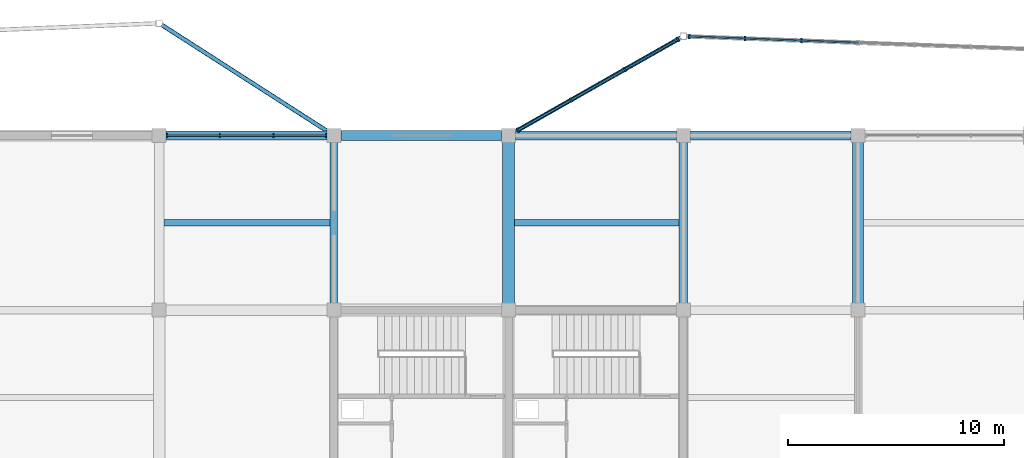
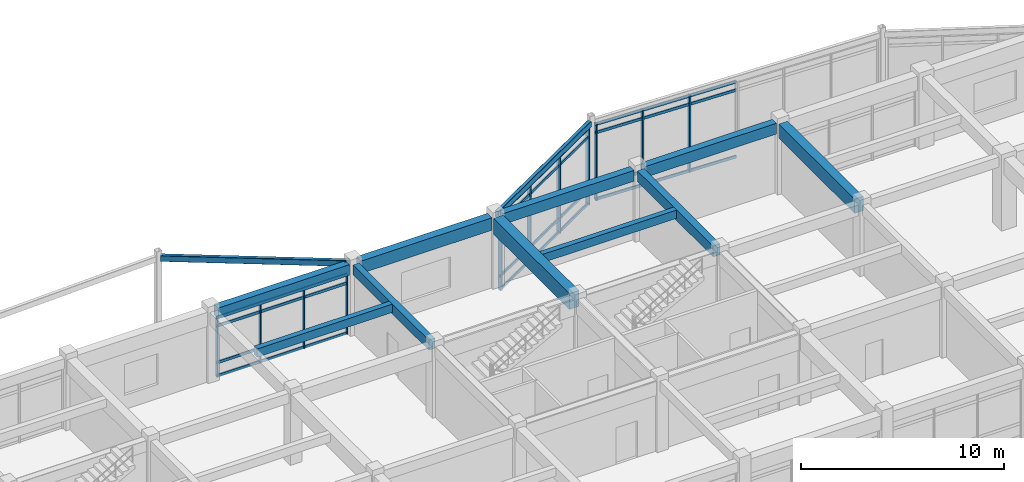
# One storey, part 46 of 93: 23 members, 12 beams, 3 elements without a shape of their own.
"""IFC4 building model written with IfcOpenShell, lengths in metres."""

from ifc_helpers import new_model, si_unit, direction, frame, origin, origin_2d, place, context, subcontext, project, spatial, rectangle, hollow_rectangle, extrude, material, layer, layer_set, material_profile, profile_set, type_object, element, aggregate, save


model = new_model("IFC4")

# Units and contexts
model_context = context("Model", 3, precision=1e-05, world=origin(), true_north=direction((0.0, 1.0)))
body_context = subcontext(model_context, "Body", "Model", "MODEL_VIEW")
ifc_project = project(units=[si_unit("LENGTHUNIT", "METRE"), si_unit("AREAUNIT", "SQUARE_METRE"), si_unit("VOLUMEUNIT", "CUBIC_METRE"), si_unit("PLANEANGLEUNIT", "RADIAN"), si_unit("MASSUNIT", "GRAM", prefix="KILO")], contexts=[model_context])

# Site, building, storey
site_placement = place(None, origin())
site = spatial("IfcSite", under=ifc_project, at=site_placement, CompositionType="ELEMENT")
building_placement = place(site_placement, origin())
building = spatial("IfcBuilding", under=site, at=building_placement, Name="Vaudrelin Polytechnic", CompositionType="ELEMENT")
storey_placement = place(building_placement, frame((0.0, 0.0, 5.10009765625)))
storey = spatial("IfcBuildingStorey", under=building, at=storey_placement, Name="L01", CompositionType="ELEMENT", Elevation=5.10009765625)

# Beams
ifc_material_1 = material(Name="Concrete 40 MPa", Category="concrete")
ifc_material_profile_1 = material_profile(ifc_material_1, rectangle(XDim=0.35009765625, YDim=0.60009765625, at=origin_2d()), Name="RC350x600")
ifc_profile_set_1 = profile_set([ifc_material_profile_1], Name="Concrete 40 MPa")
beam_type_1 = type_object("IfcBeamType", Name="BM-BM-RC3560", PredefinedType="BEAM", material=ifc_profile_set_1)
beam_1_placement = place(storey_placement, frame((105.300048828125, 113.7099609375, 3.949951171875), z_axis=(0.0, 1.0, 0.0), x_axis=(-1.0, 0.0, 0.0)))
element("IfcBeam", 1, at=beam_1_placement, inside=storey, type_object=beam_type_1, Name="L01 Y-beam 14-15", PredefinedType="BEAM", context=body_context, shape_type="SweptSolid", body=[
    extrude(rectangle(XDim=0.35009765625, YDim=0.60009765625, at=origin_2d()), origin(), (0.0, 0.0, 1.0), 7.47998046875),
])
ifc_material_profile_2 = material_profile(ifc_material_1, rectangle(XDim=0.39990234375, YDim=0.64990234375, at=origin_2d()), Name="RC400x650")
ifc_profile_set_2 = profile_set([ifc_material_profile_2], Name="Concrete 40 MPa")
beam_type_2 = type_object("IfcBeamType", Name="BM-BM-RC4065", PredefinedType="BEAM", material=ifc_profile_set_2)
beam_2_placement = place(storey_placement, frame((121.5, 113.7099609375, 3.9248046875), z_axis=(0.0, 1.0, 0.0), x_axis=(-1.0, 0.0, 0.0)))
element("IfcBeam", 2, at=beam_2_placement, inside=storey, type_object=beam_type_2, Name="L01 Y-beam 16-15", PredefinedType="BEAM", context=body_context, shape_type="SweptSolid", body=[
    extrude(rectangle(XDim=0.39990234375, YDim=0.64990234375, at=origin_2d()), origin(), (0.0, 0.0, 1.0), 7.47998046875),
])
beam_3_placement = place(storey_placement, frame((113.720947265625, 121.5, 3.9248046875), z_axis=(1.0, 0.0, 0.0), x_axis=(0.0, 1.0, 0.0)))
element("IfcBeam", 3, at=beam_3_placement, inside=storey, type_object=beam_type_2, Name="L01 X-beam 15-16", PredefinedType="BEAM", context=body_context, shape_type="SweptSolid", body=[
    extrude(rectangle(XDim=0.39990234375, YDim=0.64990234375, at=origin_2d()), origin(), (0.0, 0.0, 1.0), 7.4580078125),
])
ifc_material_profile_3 = material_profile(ifc_material_1, rectangle(XDim=0.449951171875, YDim=0.75, at=origin_2d()), Name="RC450x750")
ifc_profile_set_3 = profile_set([ifc_material_profile_3], Name="Concrete 40 MPa")
beam_type_3 = type_object("IfcBeamType", Name="BM-BM-RC4575", PredefinedType="BEAM", material=ifc_profile_set_3)
beam_4_placement = place(storey_placement, frame((105.62109375, 121.5, 3.875), z_axis=(1.0, 0.0, 0.0), x_axis=(0.0, 1.0, 0.0)))
element("IfcBeam", 4, at=beam_4_placement, inside=storey, type_object=beam_type_3, Name="L01 X-beam 14-16", PredefinedType="BEAM", context=body_context, shape_type="SweptSolid", body=[
    extrude(rectangle(XDim=0.449951171875, YDim=0.75, at=origin_2d()), origin(), (0.0, 0.0, 1.0), 7.4580078125),
])
ifc_material_profile_4 = material_profile(ifc_material_1, rectangle(XDim=0.5, YDim=0.85009765625, at=origin_2d()), Name="RC500x850")
ifc_profile_set_4 = profile_set([ifc_material_profile_4], Name="Concrete 40 MPa")
beam_type_4 = type_object("IfcBeamType", Name="BM-BM-RC5085", PredefinedType="BEAM", material=ifc_profile_set_4)
beam_5_placement = place(storey_placement, frame((129.60009765625, 113.7099609375, 3.824951171875), z_axis=(0.0, 1.0, 0.0), x_axis=(-1.0, 0.0, 0.0)))
element("IfcBeam", 5, at=beam_5_placement, inside=storey, type_object=beam_type_4, Name="L01 Y-beam 17-15", PredefinedType="BEAM", context=body_context, shape_type="SweptSolid", body=[
    extrude(rectangle(XDim=0.5, YDim=0.85009765625, at=origin_2d()), origin(), (0.0, 0.0, 1.0), 7.47998046875),
])
ifc_material_2 = material(Name="Concrete 50 MPa", Category="concrete")
ifc_material_profile_5 = material_profile(ifc_material_2, rectangle(XDim=0.550048828125, YDim=0.949951171875, at=origin_2d()), Name="RC550x950")
ifc_profile_set_5 = profile_set([ifc_material_profile_5], Name="Concrete 50 MPa")
beam_type_5 = type_object("IfcBeamType", Name="BM-BM-RC5595", PredefinedType="BEAM", material=ifc_profile_set_5)
beam_6_placement = place(storey_placement, frame((113.39990234375, 113.7099609375, 3.77490234375), z_axis=(0.0, 1.0, 0.0), x_axis=(-1.0, 0.0, 0.0)))
element("IfcBeam", 6, at=beam_6_placement, inside=storey, type_object=beam_type_5, Name="L01 Y-beam 15-15", PredefinedType="BEAM", context=body_context, shape_type="SweptSolid", body=[
    extrude(rectangle(XDim=0.550048828125, YDim=0.949951171875, at=origin_2d()), origin(), (0.0, 0.0, 1.0), 7.47998046875),
])
ifc_material_profile_6 = material_profile(ifc_material_1, rectangle(XDim=0.300048828125, YDim=0.5, at=origin_2d()), Name="RC300x500")
ifc_profile_set_6 = profile_set([ifc_material_profile_6], Name="Concrete 40 MPa")
beam_type_6 = type_object("IfcBeamType", Name="BM-JS-RC3050", PredefinedType="JOIST", material=ifc_profile_set_6)
beam_7_placement = place(storey_placement, frame((97.4208984375, 117.449951171875, 4.0), z_axis=(1.0, 0.0, 0.0), x_axis=(0.0, 1.0, 0.0)))
element("IfcBeam", 7, at=beam_7_placement, inside=storey, type_object=beam_type_6, Name="L01 floor joist 13-15", PredefinedType="JOIST", context=body_context, shape_type="SweptSolid", body=[
    extrude(rectangle(XDim=0.300048828125, YDim=0.5, at=origin_2d()), origin(), (0.0, 0.0, 1.0), 7.7080078125),
])
beam_8_placement = place(storey_placement, frame((113.6708984375, 117.449951171875, 4.0), z_axis=(1.0, 0.0, 0.0), x_axis=(0.0, 1.0, 0.0)))
element("IfcBeam", 8, at=beam_8_placement, inside=storey, type_object=beam_type_6, Name="L01 floor joist 15-15", PredefinedType="JOIST", context=body_context, shape_type="SweptSolid", body=[
    extrude(rectangle(XDim=0.300048828125, YDim=0.5, at=origin_2d()), origin(), (0.0, 0.0, 1.0), 7.633056640625),
])
ifc_material_3 = material(Name="Steel CSA G40.21 350WT", Category="steel")
ifc_material_profile_7 = material_profile(ifc_material_3, hollow_rectangle(XDim=0.202880859375, YDim=0.35595703125, WallThickness=0.0126953125, InnerFilletRadius=0.0126953125, OuterFilletRadius=0.025390625, at=origin_2d()), Name="HSS356x203x12.7")
ifc_profile_set_7 = profile_set([ifc_material_profile_7], Name="Steel CSA G40.21 350WT")
beam_type_7 = type_object("IfcBeamType", Name="BM-SP-HSS35", PredefinedType="SPANDREL", material=ifc_profile_set_7)
beam_9_placement = place(storey_placement, frame((97.31787109375, 126.62451171875, 4.1318359375), z_axis=(0.84150765207, -0.540245195729, 0.0), x_axis=(0.540245195729, 0.84150765207, 0.0)))
element("IfcBeam", 9, at=beam_9_placement, inside=storey, type_object=beam_type_7, Name="Sculptural edge beam L01 N_OR2_B3", PredefinedType="SPANDREL", context=body_context, shape_type="SweptSolid", body=[
    extrude(hollow_rectangle(XDim=0.202880859375, YDim=0.35595703125, WallThickness=0.0126953125, InnerFilletRadius=0.0126953125, OuterFilletRadius=0.025390625, at=origin_2d()), origin(), (0.0, 0.0, 1.0), 9.345458984375),
])
beam_10_placement = place(storey_placement, frame((113.521728515625, 121.569091796875, 4.1318359375), z_axis=(0.869557036598, 0.493832522322, 0.0), x_axis=(-0.493832522322, 0.869557036598, 0.0)))
element("IfcBeam", 10, at=beam_10_placement, inside=storey, type_object=beam_type_7, Name="Sculptural edge beam L01 N_OR3_B1", PredefinedType="SPANDREL", context=body_context, shape_type="SweptSolid", body=[
    extrude(hollow_rectangle(XDim=0.202880859375, YDim=0.35595703125, WallThickness=0.0126953125, InnerFilletRadius=0.0126953125, OuterFilletRadius=0.025390625, at=origin_2d()), origin(), (0.0, 0.0, 1.0), 9.03515625),
])
ifc_material_profile_8 = material_profile(ifc_material_1, rectangle(XDim=0.39990234375, YDim=0.64990234375, at=origin_2d()), Name="RC400x650")
ifc_profile_set_8 = profile_set([ifc_material_profile_8], Name="Concrete 40 MPa")
beam_type_8 = type_object("IfcBeamType", Name="BM-SP-RC4065", PredefinedType="SPANDREL", material=ifc_profile_set_8)
for number, where, z_axis, x_axis, name in (
    (11, (97.52099609375, 121.5, 3.9248046875), (1.0, 0.0, 0.0), (0.0, 1.0, 0.0), "L01 X-beam 13-16"),
    (12, (121.821044921875, 121.5, 3.9248046875), (1.0, 0.0, 0.0), (0.0, 1.0, 0.0), "L01 X-beam 16-16"),
):
    element("IfcBeam", number, at=place(storey_placement, frame(where, z_axis=z_axis, x_axis=x_axis)), inside=storey, type_object=beam_type_8, Name=name, PredefinedType="SPANDREL", context=body_context, shape_type="SweptSolid", body=[
        extrude(rectangle(XDim=0.39990234375, YDim=0.64990234375, at=origin_2d()), origin(), (0.0, 0.0, 1.0), 7.4580078125),
    ])

# Curtain wall, members
ifc_material_4 = material(Name="Thermally broken anodised aluminium AA 6063-T6 and low-e triple glazing", Category="aluminium")
ifc_layer = layer(ifc_material_4, 0.199951171875)
ifc_layer_set = layer_set([ifc_layer], Name="Thermally broken anodised aluminium AA 6063-T6 and low-e triple glazing")
curtain_wall_type = type_object("IfcCurtainWallType", Name="CW-CW-STU", PredefinedType="USERDEFINED", material=ifc_layer_set)
curtain_wall_1_placement = place(storey_placement, origin())
curtain_wall_1 = element("IfcCurtainWall", 13, at=curtain_wall_1_placement, inside=storey, type_object=curtain_wall_type, Name="Curtain wall L01 N_V5_12", ObjectType="CURTAIN WALL", PredefinedType="USERDEFINED")
ifc_material_5 = material(Name="Anodised aluminium AA 6063-T6", Category="aluminium")
ifc_material_profile_9 = material_profile(ifc_material_5, rectangle(XDim=0.06494140625, YDim=0.179931640625, at=origin_2d()), Name="CWM-65x180")
ifc_profile_set_9 = profile_set([ifc_material_profile_9], Name="Anodised aluminium AA 6063-T6")
member_type_1 = type_object("IfcMemberType", Name="MEM-CWM-180", PredefinedType="MULLION", material=ifc_profile_set_9)
member_1_placement = place(storey_placement, frame((97.56298828125, 121.5, 0.0), z_axis=(0.0, 0.0, 1.0), x_axis=(1.0, 0.0, 0.0)))
member_1 = element("IfcMember", 14, at=member_1_placement, type_object=member_type_1, Name="N_V5_12 mullion 1", PredefinedType="MULLION", context=body_context, shape_type="SweptSolid", body=[
    extrude(rectangle(XDim=0.06494140625, YDim=0.179931640625, at=origin_2d()), origin(), (0.0, 0.0, 1.0), 3.601806640625),
])
member_2_placement = place(storey_placement, frame((100.0078125, 121.5, 0.0), z_axis=(0.0, 0.0, 1.0), x_axis=(1.0, 0.0, 0.0)))
member_2 = element("IfcMember", 15, at=member_2_placement, type_object=member_type_1, Name="N_V5_12 mullion 2", PredefinedType="MULLION", context=body_context, shape_type="SweptSolid", body=[
    extrude(rectangle(XDim=0.06494140625, YDim=0.179931640625, at=origin_2d()), origin(), (0.0, 0.0, 1.0), 3.601806640625),
])
member_3_placement = place(storey_placement, frame((102.4921875, 121.5, 0.0), z_axis=(0.0, 0.0, 1.0), x_axis=(1.0, 0.0, 0.0)))
member_3 = element("IfcMember", 16, at=member_3_placement, type_object=member_type_1, Name="N_V5_12 mullion 3", PredefinedType="MULLION", context=body_context, shape_type="SweptSolid", body=[
    extrude(rectangle(XDim=0.06494140625, YDim=0.179931640625, at=origin_2d()), origin(), (0.0, 0.0, 1.0), 3.601806640625),
])
member_4_placement = place(storey_placement, frame((104.93701171875, 121.5, 0.0), z_axis=(0.0, 0.0, 1.0), x_axis=(1.0, 0.0, 0.0)))
member_4 = element("IfcMember", 17, at=member_4_placement, type_object=member_type_1, Name="N_V5_12 mullion 4", PredefinedType="MULLION", context=body_context, shape_type="SweptSolid", body=[
    extrude(rectangle(XDim=0.06494140625, YDim=0.179931640625, at=origin_2d()), origin(), (0.0, 0.0, 1.0), 3.601806640625),
])

curtain_wall_2_placement = place(storey_placement, origin())
curtain_wall_2 = element("IfcCurtainWall", 18, at=curtain_wall_2_placement, inside=storey, type_object=curtain_wall_type, Name="Curtain wall L01 N_OR3_1_0", ObjectType="CURTAIN WALL", PredefinedType="USERDEFINED")
ifc_material_profile_10 = material_profile(ifc_material_5, rectangle(XDim=0.074951171875, YDim=0.219970703125, at=origin_2d()), Name="CWM-75x220")
ifc_profile_set_10 = profile_set([ifc_material_profile_10], Name="Anodised aluminium AA 6063-T6")
member_type_2 = type_object("IfcMemberType", Name="MEM-CWM-220", PredefinedType="MULLION", material=ifc_profile_set_10)
member_5_placement = place(storey_placement, frame((113.833740234375, 121.746337890625, -0.630126953125), z_axis=(0.0, 0.0, 1.0), x_axis=(0.869560902345, 0.493825715322, 0.0)))
member_5 = element("IfcMember", 19, at=member_5_placement, type_object=member_type_2, Name="N_OR3_1_0 mullion 1", PredefinedType="MULLION", context=body_context, shape_type="SweptSolid", body=[
    extrude(rectangle(XDim=0.074951171875, YDim=0.219970703125, at=origin_2d()), origin(), (0.0, 0.0, 1.0), 4.610107421875),
])
member_6_placement = place(storey_placement, frame((116.29052734375, 123.1416015625, -0.630126953125), z_axis=(0.0, 0.0, 1.0), x_axis=(0.869560902345, 0.493825715322, 0.0)))
member_6 = element("IfcMember", 20, at=member_6_placement, type_object=member_type_2, Name="N_OR3_1_0 mullion 2", PredefinedType="MULLION", context=body_context, shape_type="SweptSolid", body=[
    extrude(rectangle(XDim=0.074951171875, YDim=0.219970703125, at=origin_2d()), origin(), (0.0, 0.0, 1.0), 4.610107421875),
])
member_7_placement = place(storey_placement, frame((118.781982421875, 124.556396484375, -0.630126953125), z_axis=(0.0, 0.0, 1.0), x_axis=(0.869560902345, 0.493825715322, 0.0)))
member_7 = element("IfcMember", 21, at=member_7_placement, type_object=member_type_2, Name="N_OR3_1_0 mullion 3", PredefinedType="MULLION", context=body_context, shape_type="SweptSolid", body=[
    extrude(rectangle(XDim=0.074951171875, YDim=0.219970703125, at=origin_2d()), origin(), (0.0, 0.0, 1.0), 4.610107421875),
])
member_8_placement = place(storey_placement, frame((121.23876953125, 125.95166015625, -0.630126953125), z_axis=(0.0, 0.0, 1.0), x_axis=(0.869560902345, 0.493825715322, 0.0)))
member_8 = element("IfcMember", 22, at=member_8_placement, type_object=member_type_2, Name="N_OR3_1_0 mullion 4", PredefinedType="MULLION", context=body_context, shape_type="SweptSolid", body=[
    extrude(rectangle(XDim=0.074951171875, YDim=0.219970703125, at=origin_2d()), origin(), (0.0, 0.0, 1.0), 4.610107421875),
])

curtain_wall_3_placement = place(storey_placement, origin())
curtain_wall_3 = element("IfcCurtainWall", 23, at=curtain_wall_3_placement, inside=storey, type_object=curtain_wall_type, Name="Curtain wall L01 N_OR3_2_0", ObjectType="CURTAIN WALL", PredefinedType="USERDEFINED")
member_9_placement = place(storey_placement, frame((121.77734375, 126.089599609375, -0.630126953125), z_axis=(0.0, 0.0, 1.0), x_axis=(0.999314868587, -0.037010720341, 0.0)))
member_9 = element("IfcMember", 24, at=member_9_placement, type_object=member_type_2, Name="N_OR3_2_0 mullion 1", PredefinedType="MULLION", context=body_context, shape_type="SweptSolid", body=[
    extrude(rectangle(XDim=0.074951171875, YDim=0.219970703125, at=origin_2d()), origin(), (0.0, 0.0, 1.0), 4.610107421875),
])
member_10_placement = place(storey_placement, frame((124.3583984375, 125.994140625, -0.630126953125), z_axis=(0.0, 0.0, 1.0), x_axis=(0.999314868587, -0.037010720341, 0.0)))
member_10 = element("IfcMember", 25, at=member_10_placement, type_object=member_type_2, Name="N_OR3_2_0 mullion 2", PredefinedType="MULLION", context=body_context, shape_type="SweptSolid", body=[
    extrude(rectangle(XDim=0.074951171875, YDim=0.219970703125, at=origin_2d()), origin(), (0.0, 0.0, 1.0), 4.610107421875),
])
member_11_placement = place(storey_placement, frame((126.97900390625, 125.897216796875, -0.630126953125), z_axis=(0.0, 0.0, 1.0), x_axis=(0.999314868587, -0.037010720341, 0.0)))
member_11 = element("IfcMember", 26, at=member_11_placement, type_object=member_type_2, Name="N_OR3_2_0 mullion 3", PredefinedType="MULLION", context=body_context, shape_type="SweptSolid", body=[
    extrude(rectangle(XDim=0.074951171875, YDim=0.219970703125, at=origin_2d()), origin(), (0.0, 0.0, 1.0), 4.610107421875),
])

# Member
ifc_material_profile_11 = material_profile(ifc_material_5, rectangle(XDim=0.074951171875, YDim=0.1650390625, at=origin_2d()), Name="CWT-75x165")
ifc_profile_set_11 = profile_set([ifc_material_profile_11], Name="Anodised aluminium AA 6063-T6")
member_type_3 = type_object("IfcMemberType", Name="MEM-CWT-165", PredefinedType="USERDEFINED", material=ifc_profile_set_11)
member_12_placement = place(storey_placement, frame((97.52294921875, 121.5, 0.0498046875), z_axis=(1.0, 0.0, 0.0), x_axis=(0.0, 1.0, 0.0)))
member_12 = element("IfcMember", 27, at=member_12_placement, type_object=member_type_3, Name="N_V5_12 transom 1", ObjectType="TRANSOM", PredefinedType="USERDEFINED", context=body_context, shape_type="SweptSolid", body=[
    extrude(rectangle(XDim=0.074951171875, YDim=0.1650390625, at=origin_2d()), origin(), (0.0, 0.0, 1.0), 7.4541015625),
])

member_13_placement = place(storey_placement, frame((97.52294921875, 121.5, 0.849853515625), z_axis=(1.0, 0.0, 0.0), x_axis=(0.0, 1.0, 0.0)))
member_13 = element("IfcMember", 28, at=member_13_placement, type_object=member_type_3, Name="N_V5_12 transom 2", ObjectType="TRANSOM", PredefinedType="USERDEFINED", context=body_context, shape_type="SweptSolid", body=[
    extrude(rectangle(XDim=0.074951171875, YDim=0.1650390625, at=origin_2d()), origin(), (0.0, 0.0, 1.0), 7.4541015625),
])

member_14_placement = place(storey_placement, frame((97.52294921875, 121.5, 3.052001953125), z_axis=(1.0, 0.0, 0.0), x_axis=(0.0, 1.0, 0.0)))
member_14 = element("IfcMember", 29, at=member_14_placement, type_object=member_type_3, Name="N_V5_12 transom 3", ObjectType="TRANSOM", PredefinedType="USERDEFINED", context=body_context, shape_type="SweptSolid", body=[
    extrude(rectangle(XDim=0.074951171875, YDim=0.1650390625, at=origin_2d()), origin(), (0.0, 0.0, 1.0), 7.4541015625),
])

member_15_placement = place(storey_placement, frame((97.52294921875, 121.5, 3.552001953125), z_axis=(1.0, 0.0, 0.0), x_axis=(0.0, 1.0, 0.0)))
member_15 = element("IfcMember", 30, at=member_15_placement, type_object=member_type_3, Name="N_V5_12 transom 4", ObjectType="TRANSOM", PredefinedType="USERDEFINED", context=body_context, shape_type="SweptSolid", body=[
    extrude(rectangle(XDim=0.074951171875, YDim=0.1650390625, at=origin_2d()), origin(), (0.0, 0.0, 1.0), 7.4541015625),
])

aggregate(curtain_wall_1, [member_1, member_2, member_3, member_4, member_12, member_13, member_14, member_15])

member_16_placement = place(storey_placement, frame((113.798828125, 121.7265625, -0.580078125), z_axis=(0.869566603832, 0.493815675632, 0.0), x_axis=(-0.493815675632, 0.869566603832, 0.0)))
member_16 = element("IfcMember", 31, at=member_16_placement, type_object=member_type_3, Name="N_OR3_1_0 transom 1", ObjectType="TRANSOM", PredefinedType="USERDEFINED", context=body_context, shape_type="SweptSolid", body=[
    extrude(rectangle(XDim=0.074951171875, YDim=0.1650390625, at=origin_2d()), origin(), (0.0, 0.0, 1.0), 8.595947265625),
])

member_17_placement = place(storey_placement, frame((113.798828125, 121.7265625, 0.219970703125), z_axis=(0.869566603832, 0.493815675632, 0.0), x_axis=(-0.493815675632, 0.869566603832, 0.0)))
member_17 = element("IfcMember", 32, at=member_17_placement, type_object=member_type_3, Name="N_OR3_1_0 transom 2", ObjectType="TRANSOM", PredefinedType="USERDEFINED", context=body_context, shape_type="SweptSolid", body=[
    extrude(rectangle(XDim=0.074951171875, YDim=0.1650390625, at=origin_2d()), origin(), (0.0, 0.0, 1.0), 8.595947265625),
])

member_18_placement = place(storey_placement, frame((113.798828125, 121.7265625, 3.429931640625), z_axis=(0.869566603832, 0.493815675632, 0.0), x_axis=(-0.493815675632, 0.869566603832, 0.0)))
member_18 = element("IfcMember", 33, at=member_18_placement, type_object=member_type_3, Name="N_OR3_1_0 transom 3", ObjectType="TRANSOM", PredefinedType="USERDEFINED", context=body_context, shape_type="SweptSolid", body=[
    extrude(rectangle(XDim=0.074951171875, YDim=0.1650390625, at=origin_2d()), origin(), (0.0, 0.0, 1.0), 8.595947265625),
])

member_19_placement = place(storey_placement, frame((113.798828125, 121.7265625, 3.929931640625), z_axis=(0.869566603832, 0.493815675632, 0.0), x_axis=(-0.493815675632, 0.869566603832, 0.0)))
member_19 = element("IfcMember", 34, at=member_19_placement, type_object=member_type_3, Name="N_OR3_1_0 transom 4", ObjectType="TRANSOM", PredefinedType="USERDEFINED", context=body_context, shape_type="SweptSolid", body=[
    extrude(rectangle(XDim=0.074951171875, YDim=0.1650390625, at=origin_2d()), origin(), (0.0, 0.0, 1.0), 8.595947265625),
])

aggregate(curtain_wall_2, [member_5, member_6, member_7, member_8, member_16, member_17, member_18, member_19])

member_20_placement = place(storey_placement, frame((121.7373046875, 126.09130859375, -0.580078125), z_axis=(0.999314621224, -0.037017398718, 0.0), x_axis=(0.037017398718, 0.999314621224, 0.0)))
member_20 = element("IfcMember", 35, at=member_20_placement, type_object=member_type_3, Name="N_OR3_2_0 transom 1", ObjectType="TRANSOM", PredefinedType="USERDEFINED", context=body_context, shape_type="SweptSolid", body=[
    extrude(rectangle(XDim=0.074951171875, YDim=0.1650390625, at=origin_2d()), origin(), (0.0, 0.0, 1.0), 7.8681640625),
])

member_21_placement = place(storey_placement, frame((121.7373046875, 126.09130859375, 0.219970703125), z_axis=(0.999314621224, -0.037017398718, 0.0), x_axis=(0.037017398718, 0.999314621224, 0.0)))
member_21 = element("IfcMember", 36, at=member_21_placement, type_object=member_type_3, Name="N_OR3_2_0 transom 2", ObjectType="TRANSOM", PredefinedType="USERDEFINED", context=body_context, shape_type="SweptSolid", body=[
    extrude(rectangle(XDim=0.074951171875, YDim=0.1650390625, at=origin_2d()), origin(), (0.0, 0.0, 1.0), 7.8681640625),
])

member_22_placement = place(storey_placement, frame((121.7373046875, 126.09130859375, 3.429931640625), z_axis=(0.999314621224, -0.037017398718, 0.0), x_axis=(0.037017398718, 0.999314621224, 0.0)))
member_22 = element("IfcMember", 37, at=member_22_placement, type_object=member_type_3, Name="N_OR3_2_0 transom 3", ObjectType="TRANSOM", PredefinedType="USERDEFINED", context=body_context, shape_type="SweptSolid", body=[
    extrude(rectangle(XDim=0.074951171875, YDim=0.1650390625, at=origin_2d()), origin(), (0.0, 0.0, 1.0), 7.8681640625),
])

member_23_placement = place(storey_placement, frame((121.7373046875, 126.09130859375, 3.929931640625), z_axis=(0.999314621224, -0.037017398718, 0.0), x_axis=(0.037017398718, 0.999314621224, 0.0)))
member_23 = element("IfcMember", 38, at=member_23_placement, type_object=member_type_3, Name="N_OR3_2_0 transom 4", ObjectType="TRANSOM", PredefinedType="USERDEFINED", context=body_context, shape_type="SweptSolid", body=[
    extrude(rectangle(XDim=0.074951171875, YDim=0.1650390625, at=origin_2d()), origin(), (0.0, 0.0, 1.0), 7.8681640625),
])

aggregate(curtain_wall_3, [member_9, member_10, member_11, member_20, member_21, member_22, member_23])

save(model, "model.ifc")
